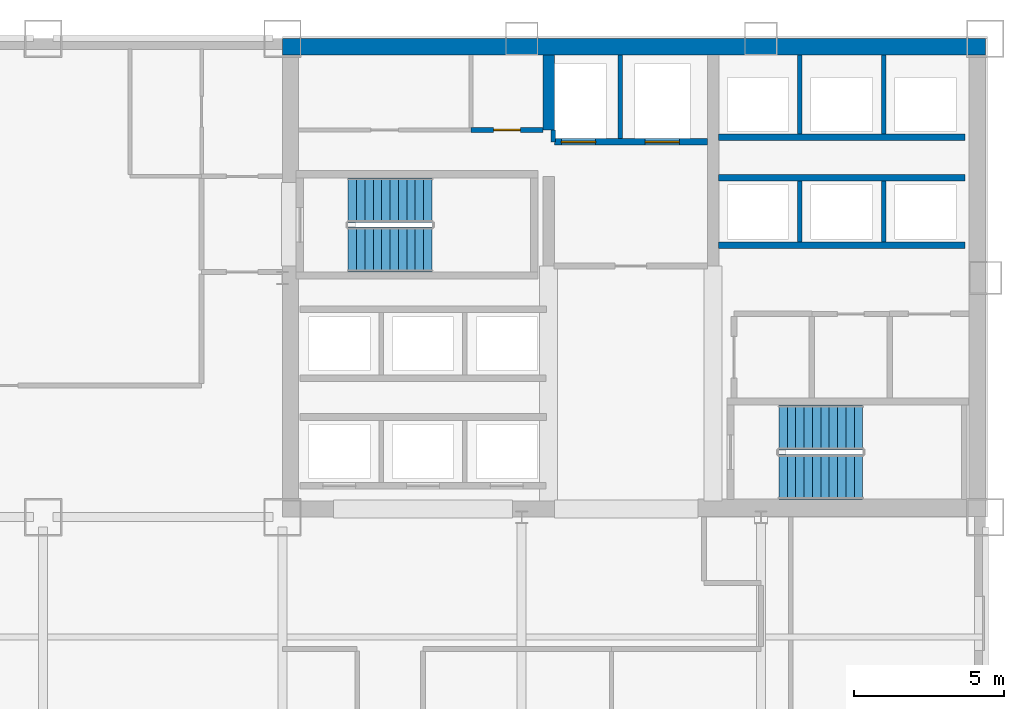
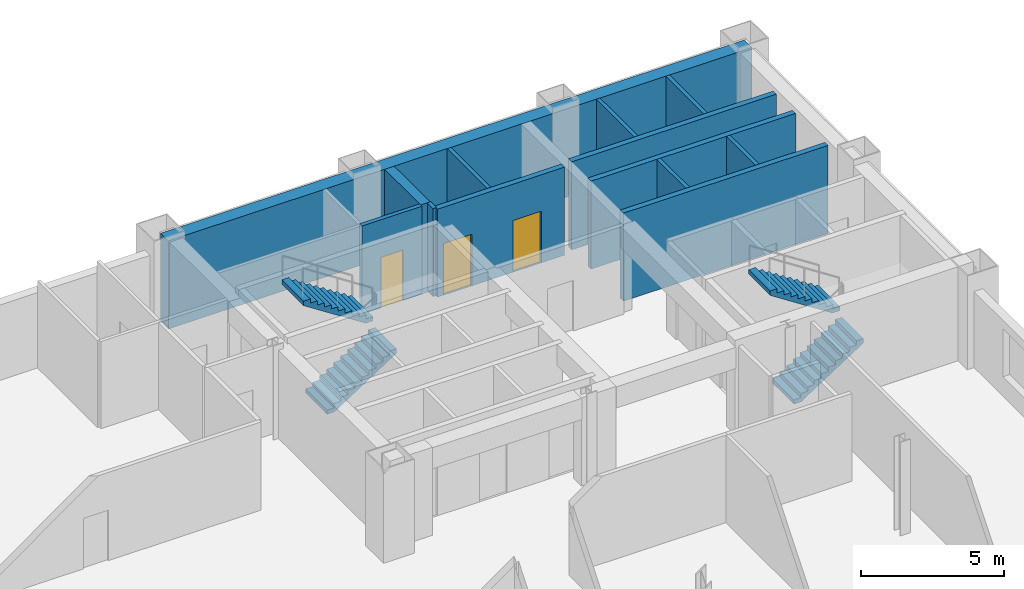
# One storey, part 7 of 9: 13 walls, 4 stair flights, 3 doors, 3 openings, 2 elements without a shape of their own.
"""IFC4 building model written with IfcOpenShell, lengths in metres."""

from ifc_helpers import new_model, si_unit, direction, frame, frame_2d, origin, place, context, subcontext, project, spatial, polyline, rectangle, outline, extrude, material, layer, layer_set, type_object, element, fill, aggregate, save


model = new_model("IFC4")

# Units and contexts
model_context = context("Model", 3, precision=1e-05, world=origin(), true_north=direction((0.0, 1.0)))
body_context = subcontext(model_context, "Body", "Model", "MODEL_VIEW")
ifc_project = project(units=[si_unit("LENGTHUNIT", "METRE"), si_unit("AREAUNIT", "SQUARE_METRE"), si_unit("VOLUMEUNIT", "CUBIC_METRE"), si_unit("PLANEANGLEUNIT", "RADIAN"), si_unit("MASSUNIT", "GRAM", prefix="KILO")], contexts=[model_context])

# Site, building, storey
site_placement = place(None, origin())
site = spatial("IfcSite", under=ifc_project, at=site_placement, CompositionType="ELEMENT")
building_placement = place(site_placement, origin())
building = spatial("IfcBuilding", under=site, at=building_placement, Name="Qianrong Seaharbour Tower", CompositionType="ELEMENT")
storey_placement = place(building_placement, frame((0.0, 0.0, 76.199951171875)))
storey = spatial("IfcBuildingStorey", under=building, at=storey_placement, Name="L18", CompositionType="ELEMENT", Elevation=76.199951171875)

# Walls
ifc_material_1 = material(Name="Concrete C70/85", Category="concrete")
ifc_layer_1 = layer(ifc_material_1, 0.5400390625)
ifc_layer_set_1 = layer_set([ifc_layer_1], Name="Concrete C70/85")
wall_type_1 = type_object("IfcWallType", Name="WALL-CORE-540", PredefinedType="SHEAR", material=ifc_layer_set_1)
wall_1_placement = place(storey_placement, frame((40.5, 51.72998046875, 0.0), z_axis=(0.0, 0.0, 1.0), x_axis=(1.0, 0.0, 0.0)))
element("IfcWall", 1, at=wall_1_placement, inside=storey, type_object=wall_type_1, Name="L18 North Core Shear Wall", PredefinedType="SHEAR", context=body_context, shape_type="SweptSolid", body=[
    extrude(rectangle(XDim=23.5, YDim=0.5400390625, at=frame_2d((11.75, 0.0))), origin(), (0.0, 0.0, 1.0), 3.75),
])
ifc_material_2 = material(Name="Concrete C60/75", Category="concrete")
ifc_layer_2 = layer(ifc_material_2, 0.3798828125)
ifc_layer_set_2 = layer_set([ifc_layer_2], Name="Concrete C60/75")
wall_type_2 = type_object("IfcWallType", Name="WALL-CORE-INT-380", PredefinedType="SHEAR", material=ifc_layer_set_2)
wall_2_placement = place(storey_placement, frame((49.39990234375, 48.949951171875, 0.0), z_axis=(0.0, 0.0, 1.0), x_axis=(0.0, 1.0, 0.0)))
element("IfcWall", 2, at=wall_2_placement, inside=storey, type_object=wall_type_2, Name="L18 Internal Core Shear Wall IW1N2", PredefinedType="SHEAR", context=body_context, shape_type="SweptSolid", body=[
    extrude(rectangle(XDim=2.510009765625, YDim=0.3798828125, at=frame_2d((1.2548828125, 0.0))), origin(), (0.0, 0.0, 1.0), 3.75),
])

# Wall, opening, door
ifc_material_3 = material(Name="Fire-rated acoustic gypsum board partition")
ifc_layer_3 = layer(ifc_material_3, 0.1650390625)
ifc_layer_set_3 = layer_set([ifc_layer_3], Name="Fire-rated acoustic gypsum board partition")
wall_type_3 = type_object("IfcWallType", Name="WALL-CORR-PART-165", PredefinedType="PARTITIONING", material=ifc_layer_set_3)
wall_3_placement = place(storey_placement, frame((46.800048828125, 48.949951171875, 0.0), z_axis=(0.0, 0.0, 1.0), x_axis=(1.0, 0.0, 0.0)))
wall_3 = element("IfcWall", 3, at=wall_3_placement, inside=storey, type_object=wall_type_3, Name="L18 Interior Partition Wall 008", PredefinedType="PARTITIONING", context=body_context, shape_type="SweptSolid", body=[
    extrude(rectangle(XDim=2.41796875, YDim=0.1650390625, at=frame_2d((1.208984375, 0.0))), origin(), (0.0, 0.0, 1.0), 3.75),
])
opening_1_placement = place(wall_3_placement, frame((0.759033203125, 0.0, 0.0)))
opening_1 = element("IfcOpeningElement", 4, at=opening_1_placement, cuts=wall_3, Name="Opening DS-01", PredefinedType="OPENING", context=body_context, shape_type="SweptSolid", body=[
    extrude(rectangle(XDim=0.89990234375, YDim=2.14990234375, at=frame_2d((0.449951171875, 1.074951171875))), frame((0.0, 0.092529296875, 0.0), z_axis=(0.0, -1.0, 0.0), x_axis=(1.0, 0.0, 0.0)), (0.0, 0.0, 1.0), 0.18505859375),
])
ifc_material_4 = material(Name="Acoustic timber and galvanized steel fire door assembly", Category="steel")
door_type_1 = type_object("IfcDoorType", Name="DOOR-STORE-900x2150", OperationType="NOTDEFINED", PredefinedType="DOOR", material=ifc_material_4)
door_1_placement = place(opening_1_placement, origin())
door_1 = element("IfcDoor", 5, at=door_1_placement, inside=storey, type_object=door_type_1, Name="L18 Janitor Store Room Door", OperationType="SINGLE_SWING_RIGHT", OverallHeight=2.14990234375, OverallWidth=0.89990234375, PredefinedType="DOOR", context=body_context, shape_type="SweptSolid", body=[
    extrude(rectangle(XDim=0.89990234375, YDim=2.14990234375, at=frame_2d((0.449951171875, 1.074951171875))), frame((0.0, 0.02490234375, 0.0), z_axis=(0.0, -1.0, 0.0), x_axis=(1.0, 0.0, 0.0)), (0.0, 0.0, 1.0), 0.050048828125),
])
fill(opening_1, door_1)

# Walls
ifc_material_5 = material(Name="Fire-rated gypsum board on steel studs", Category="steel")
ifc_layer_4 = layer(ifc_material_5, 0.14990234375)
ifc_layer_set_4 = layer_set([ifc_layer_4], Name="Fire-rated gypsum board on steel studs")
wall_type_4 = type_object("IfcWallType", Name="WALL-SHAFT-DIV-150", PredefinedType="PARTITIONING", material=ifc_layer_set_4)
wall_4_placement = place(storey_placement, frame((51.800048828125, 48.669921875, 0.0), z_axis=(0.0, 0.0, 1.0), x_axis=(0.0, 1.0, 0.0)))
element("IfcWall", 6, at=wall_4_placement, inside=storey, type_object=wall_type_4, Name="L18 Firefighting Lift Shaft Divider Wall", PredefinedType="PARTITIONING", context=body_context, shape_type="SweptSolid", body=[
    extrude(rectangle(XDim=2.7900390625, YDim=0.14990234375, at=frame_2d((1.39501953125, 0.0))), origin(), (0.0, 0.0, 1.0), 3.75),
])
wall_5_placement = place(storey_placement, frame((49.550048828125, 48.550048828125, 0.0), z_axis=(0.0, 0.0, 1.0), x_axis=(0.0, 1.0, 0.0)))
element("IfcWall", 7, at=wall_5_placement, inside=storey, type_object=wall_type_4, Name="L18 Firefighting Lift Shaft West Return Wall", PredefinedType="PARTITIONING", context=body_context, shape_type="SweptSolid", body=[
    extrude(rectangle(XDim=0.39990234375, YDim=0.14990234375, at=frame_2d((0.199951171875, 0.0))), origin(), (0.0, 0.0, 1.0), 3.75),
])
for number, where, z_axis, x_axis, name in (
    (8, (57.800048828125, 45.2099609375, 0.0), (0.0, 0.0, 1.0), (0.0, 1.0, 0.0), "L18 P3 Lift Hoistway Divider 2"),
    (9, (60.60009765625, 45.2099609375, 0.0), (0.0, 0.0, 1.0), (0.0, 1.0, 0.0), "L18 P3 Lift Hoistway Divider 3"),
):
    element("IfcWall", number, at=place(storey_placement, frame(where, z_axis=z_axis, x_axis=x_axis)), inside=storey, type_object=wall_type_4, Name=name, PredefinedType="PARTITIONING", context=body_context, shape_type="SweptSolid", body=[
        extrude(rectangle(XDim=2.030029296875, YDim=0.14990234375, at=frame_2d((1.01513671875, 0.0))), origin(), (0.0, 0.0, 1.0), 3.75),
    ])
for number, where, z_axis, x_axis, name in (
    (10, (57.800048828125, 48.81005859375, 0.0), (0.0, 0.0, 1.0), (0.0, 1.0, 0.0), "L18 P4 Lift Hoistway Divider 2"),
    (11, (60.60009765625, 48.81005859375, 0.0), (0.0, 0.0, 1.0), (0.0, 1.0, 0.0), "L18 P4 Lift Hoistway Divider 3"),
):
    element("IfcWall", number, at=place(storey_placement, frame(where, z_axis=z_axis, x_axis=x_axis)), inside=storey, type_object=wall_type_4, Name=name, PredefinedType="PARTITIONING", context=body_context, shape_type="SweptSolid", body=[
        extrude(rectangle(XDim=2.64990234375, YDim=0.14990234375, at=frame_2d((1.324951171875, 0.0))), origin(), (0.0, 0.0, 1.0), 3.75),
    ])

# Wall, openings, doors
ifc_layer_5 = layer(ifc_material_5, 0.219970703125)
ifc_layer_set_5 = layer_set([ifc_layer_5], Name="Fire-rated gypsum board on steel studs")
wall_type_5 = type_object("IfcWallType", Name="WALL-SHAFT-GYP220", PredefinedType="PARTITIONING", material=ifc_layer_set_5)
wall_6_placement = place(storey_placement, frame((54.7099609375, 48.550048828125, 0.0), z_axis=(0.0, 0.0, 1.0), x_axis=(-1.0, 0.0, 0.0)))
wall_6 = element("IfcWall", 12, at=wall_6_placement, inside=storey, type_object=wall_type_5, Name="L18 Firefighting Lift Shaft Front Wall", PredefinedType="PARTITIONING", context=body_context, shape_type="SweptSolid", body=[
    extrude(rectangle(XDim=5.119873046875, YDim=0.219970703125, at=frame_2d((2.56005859375, 0.0))), origin(), (0.0, 0.0, 1.0), 3.75),
])
opening_2_placement = place(wall_6_placement, frame((3.735107421875, 0.0, 0.0)))
opening_2 = element("IfcOpeningElement", 13, at=opening_2_placement, cuts=wall_6, Name="Opening LD-01", PredefinedType="OPENING", context=body_context, shape_type="SweptSolid", body=[
    extrude(rectangle(XDim=1.14990234375, YDim=2.199951171875, at=frame_2d((0.574951171875, 1.10009765625))), frame((0.0, 0.1201171875, 0.0), z_axis=(0.0, -1.0, 0.0), x_axis=(1.0, 0.0, 0.0)), (0.0, 0.0, 1.0), 0.239990234375),
])
opening_3_placement = place(wall_6_placement, frame((0.93505859375, 0.0, 0.0)))
opening_3 = element("IfcOpeningElement", 14, at=opening_3_placement, cuts=wall_6, Name="Opening LD-01", PredefinedType="OPENING", context=body_context, shape_type="SweptSolid", body=[
    extrude(rectangle(XDim=1.14990234375, YDim=2.199951171875, at=frame_2d((0.574951171875, 1.10009765625))), frame((0.0, 0.1201171875, 0.0), z_axis=(0.0, -1.0, 0.0), x_axis=(1.0, 0.0, 0.0)), (0.0, 0.0, 1.0), 0.239990234375),
])
ifc_material_6 = material(Name="Stainless steel SUS316L bi-parting lift landing door", Category="steel")
door_type_2 = type_object("IfcDoorType", Name="DOOR-LIFT-FF-1150x2200", OperationType="DOUBLE_DOOR_SLIDING", PredefinedType="DOOR", material=ifc_material_6)
door_2_placement = place(opening_2_placement, origin())
door_2 = element("IfcDoor", 15, at=door_2_placement, inside=storey, type_object=door_type_2, Name="L18 FL-1 Firefighting Lift Landing Door", OperationType="DOUBLE_DOOR_SLIDING", OverallHeight=2.199951171875, OverallWidth=1.14990234375, PredefinedType="DOOR", context=body_context, shape_type="SweptSolid", body=[
    extrude(rectangle(XDim=1.14990234375, YDim=2.199951171875, at=frame_2d((0.574951171875, 1.10009765625))), frame((0.0, 0.02490234375, 0.0), z_axis=(0.0, -1.0, 0.0), x_axis=(1.0, 0.0, 0.0)), (0.0, 0.0, 1.0), 0.050048828125),
])
fill(opening_2, door_2)
door_3_placement = place(opening_3_placement, origin())
door_3 = element("IfcDoor", 16, at=door_3_placement, inside=storey, type_object=door_type_2, Name="L18 FL-2 Firefighting Lift Landing Door", OperationType="DOUBLE_DOOR_SLIDING", OverallHeight=2.199951171875, OverallWidth=1.14990234375, PredefinedType="DOOR", context=body_context, shape_type="SweptSolid", body=[
    extrude(rectangle(XDim=1.14990234375, YDim=2.199951171875, at=frame_2d((0.574951171875, 1.10009765625))), frame((0.0, 0.02490234375, 0.0), z_axis=(0.0, -1.0, 0.0), x_axis=(1.0, 0.0, 0.0)), (0.0, 0.0, 1.0), 0.050048828125),
])
fill(opening_3, door_3)

# Walls
for number, where, z_axis, x_axis, name in (
    (17, (63.320068359375, 45.10009765625, 0.0), (0.0, 0.0, 1.0), (-1.0, 0.0, 0.0), "L18 P3 Lift Hoistway Front Wall"),
    (18, (55.080078125, 47.35009765625, 0.0), (0.0, 0.0, 1.0), (1.0, 0.0, 0.0), "L18 P3 Lift Hoistway Back Wall"),
    (19, (63.320068359375, 48.699951171875, 0.0), (0.0, 0.0, 1.0), (-1.0, 0.0, 0.0), "L18 P4 Lift Hoistway Front Wall"),
):
    element("IfcWall", number, at=place(storey_placement, frame(where, z_axis=z_axis, x_axis=x_axis)), inside=storey, type_object=wall_type_5, Name=name, PredefinedType="PARTITIONING", context=body_context, shape_type="SweptSolid", body=[
        extrude(rectangle(XDim=8.239990234375, YDim=0.219970703125, at=frame_2d((4.1201171875, 0.0))), origin(), (0.0, 0.0, 1.0), 3.75),
    ])

# Stair, stair flights
ifc_material_7 = material(Name="Concrete C50/60", Category="concrete")
stair_type = type_object("IfcStairType", Name="STAIR-DOGLEG-1500-R22", PredefinedType="HALF_TURN_STAIR", material=ifc_material_7)
stair_1_placement = place(storey_placement, origin())
stair_1 = element("IfcStair", 20, at=stair_1_placement, inside=storey, type_object=stair_type, Name="L18 Protected Escape Stair ST-1", PredefinedType="HALF_TURN_STAIR")
stair_flight_type = type_object("IfcStairFlightType", Name="FLIGHT-STR-1500-R22", PredefinedType="STRAIGHT", material=ifc_material_7)
stair_flight_1_placement = place(storey_placement, frame((42.699951171875, 44.949951171875, 0.0), z_axis=(0.0, 0.0, 1.0), x_axis=(1.0, 0.0, 0.0)))
stair_flight_1 = element("IfcStairFlight", 21, at=stair_flight_1_placement, type_object=stair_flight_type, Name="ST-1 flight 1", NumberOfRisers=11, NumberOfTreads=10, PredefinedType="STRAIGHT", RiserHeight=0.181818182, TreadLength=0.28, context=body_context, shape_type="SweptSolid", body=[
    extrude(outline(polyline([(0.0, 0.0), (0.0, 0.181884765625), (0.280029296875, 0.181884765625), (0.280029296875, 0.363525390625), (0.56005859375, 0.363525390625), (0.56005859375, 0.54541015625), (0.840087890625, 0.54541015625), (0.840087890625, 0.727294921875), (1.1201171875, 0.727294921875), (1.1201171875, 0.9091796875), (1.39990234375, 0.9091796875), (1.39990234375, 1.0908203125), (1.679931640625, 1.0908203125), (1.679931640625, 1.272705078125), (1.9599609375, 1.272705078125), (1.9599609375, 1.45458984375), (2.239990234375, 1.45458984375), (2.239990234375, 1.636474609375), (2.52001953125, 1.636474609375), (2.52001953125, 1.818115234375), (2.800048828125, 1.818115234375), (2.800048828125, 2.0), (2.800048828125, 1.62744140625), (0.293701171875, 0.0), (0.0, 0.0)])), frame((0.0, 0.75, 0.0), z_axis=(0.0, -1.0, 0.0), x_axis=(1.0, 0.0, 0.0)), (0.0, 0.0, 1.0), 1.5),
])
stair_flight_2_placement = place(storey_placement, frame((45.5, 46.60009765625, 2.0), z_axis=(0.0, 0.0, 1.0), x_axis=(-1.0, 0.0, 0.0)))
stair_flight_2 = element("IfcStairFlight", 22, at=stair_flight_2_placement, type_object=stair_flight_type, Name="ST-1 flight 2", NumberOfRisers=11, NumberOfTreads=10, PredefinedType="STRAIGHT", RiserHeight=0.181818182, TreadLength=0.28, context=body_context, shape_type="SweptSolid", body=[
    extrude(outline(polyline([(0.0, 0.0), (0.0, 0.181884765625), (0.280029296875, 0.181884765625), (0.280029296875, 0.363525390625), (0.56005859375, 0.363525390625), (0.56005859375, 0.54541015625), (0.840087890625, 0.54541015625), (0.840087890625, 0.727294921875), (1.1201171875, 0.727294921875), (1.1201171875, 0.9091796875), (1.39990234375, 0.9091796875), (1.39990234375, 1.0908203125), (1.679931640625, 1.0908203125), (1.679931640625, 1.272705078125), (1.9599609375, 1.272705078125), (1.9599609375, 1.45458984375), (2.239990234375, 1.45458984375), (2.239990234375, 1.636474609375), (2.52001953125, 1.636474609375), (2.52001953125, 1.818115234375), (2.800048828125, 1.818115234375), (2.800048828125, 2.0), (2.800048828125, 1.62744140625), (0.293701171875, 0.0), (0.0, 0.0)])), frame((0.0, 0.75, 0.0), z_axis=(0.0, -1.0, 0.0), x_axis=(1.0, 0.0, 0.0)), (0.0, 0.0, 1.0), 1.5),
])
aggregate(stair_1, [stair_flight_1, stair_flight_2])

stair_2_placement = place(storey_placement, origin())
stair_2 = element("IfcStair", 23, at=stair_2_placement, inside=storey, type_object=stair_type, Name="L18 Protected Escape Stair ST-2", PredefinedType="HALF_TURN_STAIR")
stair_flight_3_placement = place(storey_placement, frame((57.10009765625, 37.35009765625, 0.0), z_axis=(0.0, 0.0, 1.0), x_axis=(1.0, 0.0, 0.0)))
stair_flight_3 = element("IfcStairFlight", 24, at=stair_flight_3_placement, type_object=stair_flight_type, Name="ST-2 flight 1", NumberOfRisers=11, NumberOfTreads=10, PredefinedType="STRAIGHT", RiserHeight=0.181818182, TreadLength=0.28, context=body_context, shape_type="SweptSolid", body=[
    extrude(outline(polyline([(0.0, 0.0), (0.0, 0.181884765625), (0.280029296875, 0.181884765625), (0.280029296875, 0.363525390625), (0.56005859375, 0.363525390625), (0.56005859375, 0.54541015625), (0.840087890625, 0.54541015625), (0.840087890625, 0.727294921875), (1.1201171875, 0.727294921875), (1.1201171875, 0.9091796875), (1.39990234375, 0.9091796875), (1.39990234375, 1.0908203125), (1.679931640625, 1.0908203125), (1.679931640625, 1.272705078125), (1.9599609375, 1.272705078125), (1.9599609375, 1.45458984375), (2.239990234375, 1.45458984375), (2.239990234375, 1.636474609375), (2.52001953125, 1.636474609375), (2.52001953125, 1.818115234375), (2.800048828125, 1.818115234375), (2.800048828125, 2.0), (2.800048828125, 1.62744140625), (0.293701171875, 0.0), (0.0, 0.0)])), frame((0.0, 0.75, 0.0), z_axis=(0.0, -1.0, 0.0), x_axis=(1.0, 0.0, 0.0)), (0.0, 0.0, 1.0), 1.5),
])
stair_flight_4_placement = place(storey_placement, frame((59.89990234375, 39.0, 2.0), z_axis=(0.0, 0.0, 1.0), x_axis=(-1.0, 0.0, 0.0)))
stair_flight_4 = element("IfcStairFlight", 25, at=stair_flight_4_placement, type_object=stair_flight_type, Name="ST-2 flight 2", NumberOfRisers=11, NumberOfTreads=10, PredefinedType="STRAIGHT", RiserHeight=0.181818182, TreadLength=0.28, context=body_context, shape_type="SweptSolid", body=[
    extrude(outline(polyline([(0.0, 0.0), (0.0, 0.181884765625), (0.280029296875, 0.181884765625), (0.280029296875, 0.363525390625), (0.56005859375, 0.363525390625), (0.56005859375, 0.54541015625), (0.840087890625, 0.54541015625), (0.840087890625, 0.727294921875), (1.1201171875, 0.727294921875), (1.1201171875, 0.9091796875), (1.39990234375, 0.9091796875), (1.39990234375, 1.0908203125), (1.679931640625, 1.0908203125), (1.679931640625, 1.272705078125), (1.9599609375, 1.272705078125), (1.9599609375, 1.45458984375), (2.239990234375, 1.45458984375), (2.239990234375, 1.636474609375), (2.52001953125, 1.636474609375), (2.52001953125, 1.818115234375), (2.800048828125, 1.818115234375), (2.800048828125, 2.0), (2.800048828125, 1.62744140625), (0.293701171875, 0.0), (0.0, 0.0)])), frame((0.0, 0.75, 0.0), z_axis=(0.0, -1.0, 0.0), x_axis=(1.0, 0.0, 0.0)), (0.0, 0.0, 1.0), 1.5),
])
aggregate(stair_2, [stair_flight_3, stair_flight_4])

save(model, "model.ifc")
